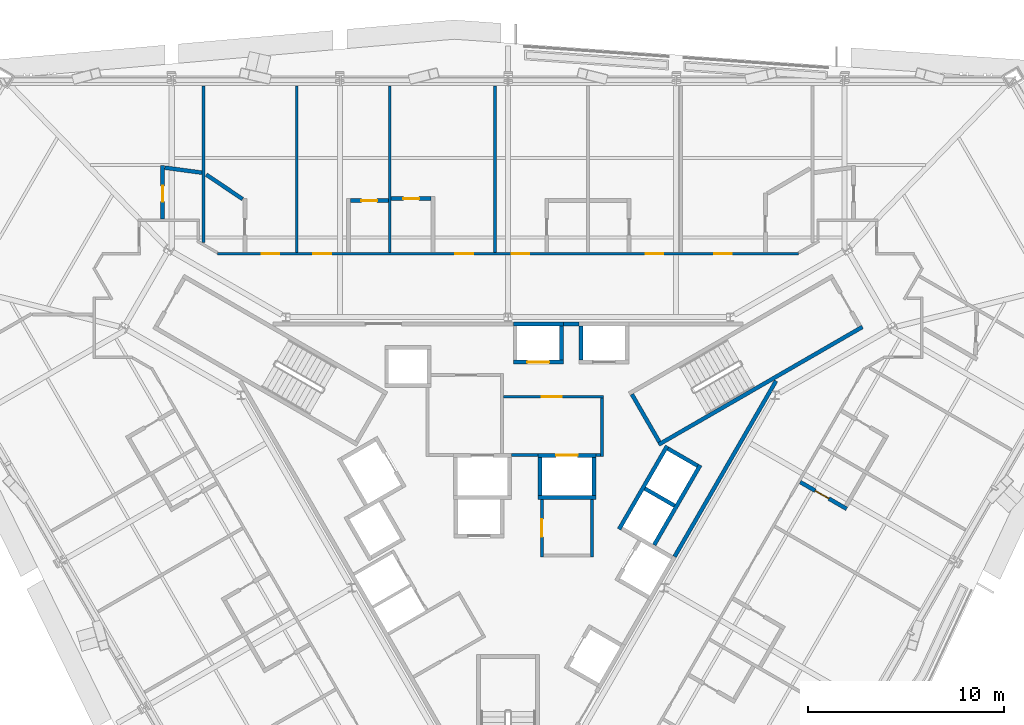
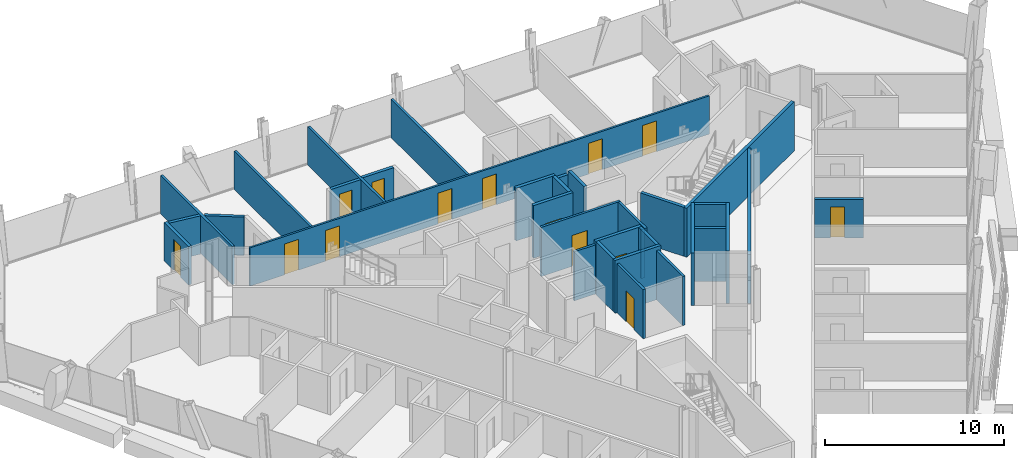
# One storey, part 11 of 15: 33 walls, 14 doors, 14 openings.
"""IFC4 building model written with IfcOpenShell, lengths in metres."""

from ifc_helpers import new_model, si_unit, direction, frame, frame_2d, origin, place, context, subcontext, project, spatial, rectangle, extrude, material, layer, layer_set, type_object, element, fill, save


model = new_model("IFC4")

# Units and contexts
model_context = context("Model", 3, precision=1e-05, world=origin(), true_north=direction((0.0, 1.0)))
body_context = subcontext(model_context, "Body", "Model", "MODEL_VIEW")
ifc_project = project(units=[si_unit("LENGTHUNIT", "METRE"), si_unit("AREAUNIT", "SQUARE_METRE"), si_unit("VOLUMEUNIT", "CUBIC_METRE"), si_unit("PLANEANGLEUNIT", "RADIAN"), si_unit("MASSUNIT", "GRAM", prefix="KILO")], contexts=[model_context])

# Site, building, storey
site_placement = place(None, origin())
site = spatial("IfcSite", under=ifc_project, at=site_placement, CompositionType="ELEMENT")
building_placement = place(site_placement, origin())
building = spatial("IfcBuilding", under=site, at=building_placement, Name="Verrane Prism Tower", CompositionType="ELEMENT")
storey_placement = place(building_placement, frame((0.0, 0.0, 72.800048828125)))
storey = spatial("IfcBuildingStorey", under=building, at=storey_placement, Name="L16", CompositionType="ELEMENT", Elevation=72.800048828125)

# Walls
ifc_material_1 = material(Name="Gypsum board partition", Category="other")
ifc_layer_1 = layer(ifc_material_1, 0.199951171875)
ifc_layer_set_1 = layer_set([ifc_layer_1], Name="CW-200 core boundary wall 2 h")
wall_type_1 = type_object("IfcWallType", Name="CW-200 core boundary wall 2 h", PredefinedType="PARTITIONING", material=ifc_layer_set_1)
wall_1_placement = place(storey_placement, frame((2.81689453125, 8.860107421875, 0.0), z_axis=(0.0, 0.0, 1.0), x_axis=(1.0, 0.0, 0.0)))
element("IfcWall", 1, at=wall_1_placement, inside=storey, type_object=wall_type_1, Name="Core boundary wall CW3-004", PredefinedType="PARTITIONING", context=body_context, shape_type="SweptSolid", body=[
    extrude(rectangle(XDim=0.80615234375, YDim=0.199951171875, at=frame_2d((0.403076171875, 0.0))), origin(), (0.0, 0.0, 1.0), 3.349853515625),
])
wall_2_placement = place(storey_placement, frame((8.491943359375, -3.011962890625, 0.0), z_axis=(0.0, 0.0, 1.0), x_axis=(0.499972957231, 0.866041016371, 0.0)))
element("IfcWall", 2, at=wall_2_placement, inside=storey, type_object=wall_type_1, Name="Core boundary wall CW3-007", PredefinedType="PARTITIONING", context=body_context, shape_type="SweptSolid", body=[
    extrude(rectangle(XDim=10.3486328125, YDim=0.199951171875, at=frame_2d((5.17431640625, 0.0))), origin(), (0.0, 0.0, 1.0), 3.349853515625),
])
ifc_material_2 = material(Name="Concrete C40/50", Category="concrete")
ifc_layer_2 = layer(ifc_material_2, 0.199951171875)
ifc_layer_set_2 = layer_set([ifc_layer_2], Name="CW-200 stair core wall concrete C40/50 3 h")
wall_type_2 = type_object("IfcWallType", Name="CW-200 stair core wall concrete C40/50 3 h", PredefinedType="PARTITIONING", material=ifc_layer_set_2)
wall_3_placement = place(storey_placement, frame((7.67822265625, 2.700927734375, 0.0), z_axis=(0.0, 0.0, 1.0), x_axis=(0.866026010844, 0.49999894854, 0.0)))
element("IfcWall", 3, at=wall_3_placement, inside=storey, type_object=wall_type_2, Name="Stair 1 enclosure wall", PredefinedType="PARTITIONING", context=body_context, shape_type="SweptSolid", body=[
    extrude(rectangle(XDim=12.0, YDim=0.199951171875, at=frame_2d((6.0, 0.0))), origin(), (0.0, 0.0, 1.0), 3.349853515625),
])
wall_4_placement = place(storey_placement, frame((7.71484375, 2.837646484375, 0.0), z_axis=(0.0, 0.0, 1.0), x_axis=(-0.500049511043, 0.865996816683, 0.0)))
element("IfcWall", 4, at=wall_4_placement, inside=storey, type_object=wall_type_2, Name="Stair 1 enclosure wall", PredefinedType="PARTITIONING", context=body_context, shape_type="SweptSolid", body=[
    extrude(rectangle(XDim=2.800048828125, YDim=0.199951171875, at=frame_2d((1.39990234375, 0.0))), origin(), (0.0, 0.0, 1.0), 3.349853515625),
])
ifc_material_3 = material(Name="Gypsum board shaft wall assembly", Category="other")
ifc_layer_3 = layer(ifc_material_3, 0.199951171875)
ifc_layer_set_3 = layer_set([ifc_layer_3], Name="HW-200 lift shaft wall 2 h")
wall_type_3 = type_object("IfcWallType", Name="HW-200 lift shaft wall 2 h", PredefinedType="PARTITIONING", material=ifc_layer_set_3)
wall_5_placement = place(storey_placement, frame((1.52490234375, 0.0, 0.0), z_axis=(0.0, 0.0, 1.0), x_axis=(1.0, 0.0, 0.0)))
element("IfcWall", 5, at=wall_5_placement, inside=storey, type_object=wall_type_3, Name="Lift shaft wall", PredefinedType="PARTITIONING", context=body_context, shape_type="SweptSolid", body=[
    extrude(rectangle(XDim=2.9501953125, YDim=0.199951171875, at=frame_2d((1.47509765625, 0.0))), origin(), (0.0, 0.0, 1.0), 3.599853515625),
])

# Wall, opening, door
wall_6_placement = place(storey_placement, frame((1.52490234375, 2.14990234375, 0.0), z_axis=(0.0, 0.0, 1.0), x_axis=(1.0, 0.0, 0.0)))
wall_6 = element("IfcWall", 6, at=wall_6_placement, inside=storey, type_object=wall_type_3, Name="Lift shaft wall", PredefinedType="PARTITIONING", context=body_context, shape_type="SweptSolid", body=[
    extrude(rectangle(XDim=2.9501953125, YDim=0.199951171875, at=frame_2d((1.47509765625, 0.0))), origin(), (0.0, 0.0, 1.0), 3.599853515625),
])
opening_1_placement = place(wall_6_placement, frame((0.925048828125, 0.0, 0.0)))
opening_1 = element("IfcOpeningElement", 7, at=opening_1_placement, cuts=wall_6, Name="Opening D14509", PredefinedType="OPENING", context=body_context, shape_type="SweptSolid", body=[
    extrude(rectangle(XDim=1.10009765625, YDim=2.10009765625, at=frame_2d((0.550048828125, 1.050048828125))), frame((0.0, 0.10986328125, 0.0), z_axis=(0.0, -1.0, 0.0), x_axis=(1.0, 0.0, 0.0)), (0.0, 0.0, 1.0), 0.219970703125),
])
ifc_material_4 = material(Name="Stainless steel sliding landing door", Category="steel")
door_type_1 = type_object("IfcDoorType", Name="LD-1100x2100 lift landing door FD90 sliding", OperationType="NOTDEFINED", PredefinedType="DOOR", material=ifc_material_4)
door_1_placement = place(opening_1_placement, origin())
door_1 = element("IfcDoor", 8, at=door_1_placement, inside=storey, type_object=door_type_1, Name="Fire service lift 2 landing door", OperationType="SLIDING_TO_RIGHT", OverallHeight=2.10009765625, OverallWidth=1.10009765625, PredefinedType="DOOR", context=body_context, shape_type="SweptSolid", body=[
    extrude(rectangle(XDim=1.10009765625, YDim=2.10009765625, at=frame_2d((0.550048828125, 1.050048828125))), frame((0.0, 0.02490234375, 0.0), z_axis=(0.0, -1.0, 0.0), x_axis=(1.0, 0.0, 0.0)), (0.0, 0.0, 1.0), 0.050048828125),
])
fill(opening_1, door_1)

wall_7_placement = place(storey_placement, frame((0.264892578125, 6.909912109375, 0.0), z_axis=(0.0, 0.0, 1.0), x_axis=(1.0, 0.0, 0.0)))
wall_7 = element("IfcWall", 9, at=wall_7_placement, inside=storey, type_object=wall_type_3, Name="Lift shaft wall", PredefinedType="PARTITIONING", context=body_context, shape_type="SweptSolid", body=[
    extrude(rectangle(XDim=2.550048828125, YDim=0.199951171875, at=frame_2d((1.27490234375, 0.0))), origin(), (0.0, 0.0, 1.0), 3.599853515625),
])
opening_2_placement = place(wall_7_placement, frame((0.72509765625, 0.0, 0.0)))
opening_2 = element("IfcOpeningElement", 10, at=opening_2_placement, cuts=wall_7, Name="Opening D14503", PredefinedType="OPENING", context=body_context, shape_type="SweptSolid", body=[
    extrude(rectangle(XDim=1.10009765625, YDim=2.10009765625, at=frame_2d((0.550048828125, 1.050048828125))), frame((0.0, 0.10986328125, 0.0), z_axis=(0.0, -1.0, 0.0), x_axis=(1.0, 0.0, 0.0)), (0.0, 0.0, 1.0), 0.219970703125),
])
door_2_placement = place(opening_2_placement, origin())
door_2 = element("IfcDoor", 11, at=door_2_placement, inside=storey, type_object=door_type_1, Name="Bank A lift 1 landing door", OperationType="SLIDING_TO_LEFT", OverallHeight=2.10009765625, OverallWidth=1.10009765625, PredefinedType="DOOR", context=body_context, shape_type="SweptSolid", body=[
    extrude(rectangle(XDim=1.10009765625, YDim=2.10009765625, at=frame_2d((0.550048828125, 1.050048828125))), frame((0.0, 0.02490234375, 0.0), z_axis=(0.0, -1.0, 0.0), x_axis=(1.0, 0.0, 0.0)), (0.0, 0.0, 1.0), 0.050048828125),
])
fill(opening_2, door_2)

# Walls
wall_8_placement = place(storey_placement, frame((0.264892578125, 8.860107421875, 0.0), z_axis=(0.0, 0.0, 1.0), x_axis=(1.0, 0.0, 0.0)))
element("IfcWall", 12, at=wall_8_placement, inside=storey, type_object=wall_type_3, Name="Lift shaft wall", PredefinedType="PARTITIONING", context=body_context, shape_type="SweptSolid", body=[
    extrude(rectangle(XDim=2.550048828125, YDim=0.199951171875, at=frame_2d((1.27490234375, 0.0))), origin(), (0.0, 0.0, 1.0), 3.599853515625),
])
wall_9_placement = place(storey_placement, frame((7.451171875, -2.4140625, 0.0), z_axis=(0.0, 0.0, 1.0), x_axis=(0.500016218704, 0.866016039709, 0.0)))
element("IfcWall", 13, at=wall_9_placement, inside=storey, type_object=wall_type_3, Name="Lift shaft wall", PredefinedType="PARTITIONING", context=body_context, shape_type="SweptSolid", body=[
    extrude(rectangle(XDim=4.699951171875, YDim=0.199951171875, at=frame_2d((2.35009765625, 0.0))), origin(), (0.0, 0.0, 1.0), 3.599853515625),
])
wall_10_placement = place(storey_placement, frame((5.66259765625, -1.6123046875, 0.0), z_axis=(0.0, 0.0, 1.0), x_axis=(0.49998122708, 0.866036242063, 0.0)))
element("IfcWall", 14, at=wall_10_placement, inside=storey, type_object=wall_type_3, Name="Lift shaft wall", PredefinedType="PARTITIONING", context=body_context, shape_type="SweptSolid", body=[
    extrude(rectangle(XDim=4.900146484375, YDim=0.199951171875, at=frame_2d((2.4501953125, 0.0))), origin(), (0.0, 0.0, 1.0), 3.599853515625),
])
wall_11_placement = place(storey_placement, frame((4.375, 0.10009765625, 0.0), z_axis=(0.0, 0.0, 1.0), x_axis=(0.0, 1.0, 0.0)))
element("IfcWall", 15, at=wall_11_placement, inside=storey, type_object=wall_type_3, Name="Lift shaft wall", PredefinedType="PARTITIONING", context=body_context, shape_type="SweptSolid", body=[
    extrude(rectangle(XDim=1.949951171875, YDim=0.199951171875, at=frame_2d((0.97509765625, 0.0))), origin(), (0.0, 0.0, 1.0), 3.599853515625),
])
for number, where, z_axis, x_axis, name in (
    (16, (3.72509765625, 7.010009765625, 0.0), (0.0, 0.0, 1.0), (0.0, 1.0, 0.0), "Lift shaft wall"),
    (17, (2.715087890625, 7.010009765625, 0.0), (0.0, 0.0, 1.0), (0.0, 1.0, 0.0), "Lift shaft wall"),
):
    element("IfcWall", number, at=place(storey_placement, frame(where, z_axis=z_axis, x_axis=x_axis)), inside=storey, type_object=wall_type_3, Name=name, PredefinedType="PARTITIONING", context=body_context, shape_type="SweptSolid", body=[
        extrude(rectangle(XDim=1.75, YDim=0.199951171875, at=frame_2d((0.875, 0.0))), origin(), (0.0, 0.0, 1.0), 3.599853515625),
    ])
wall_12_placement = place(storey_placement, frame((1.625, 0.10009765625, 0.0), z_axis=(0.0, 0.0, 1.0), x_axis=(0.0, 1.0, 0.0)))
element("IfcWall", 18, at=wall_12_placement, inside=storey, type_object=wall_type_3, Name="Lift shaft wall", PredefinedType="PARTITIONING", context=body_context, shape_type="SweptSolid", body=[
    extrude(rectangle(XDim=1.949951171875, YDim=0.199951171875, at=frame_2d((0.97509765625, 0.0))), origin(), (0.0, 0.0, 1.0), 3.599853515625),
])
wall_13_placement = place(storey_placement, frame((9.66455078125, 1.61962890625, 0.0), z_axis=(0.0, 0.0, 1.0), x_axis=(-0.866002029911, 0.500040482552, 0.0)))
element("IfcWall", 19, at=wall_13_placement, inside=storey, type_object=wall_type_3, Name="Lift shaft wall", PredefinedType="PARTITIONING", context=body_context, shape_type="SweptSolid", body=[
    extrude(rectangle(XDim=1.749755859375, YDim=0.199951171875, at=frame_2d((0.875, 0.0))), origin(), (0.0, 0.0, 1.0), 3.599853515625),
])
wall_14_placement = place(storey_placement, frame((8.48974609375, -0.41552734375, 0.0), z_axis=(0.0, 0.0, 1.0), x_axis=(-0.866036909293, 0.499980071345, 0.0)))
element("IfcWall", 20, at=wall_14_placement, inside=storey, type_object=wall_type_3, Name="Lift shaft wall", PredefinedType="PARTITIONING", context=body_context, shape_type="SweptSolid", body=[
    extrude(rectangle(XDim=1.75, YDim=0.199951171875, at=frame_2d((0.875, 0.0))), origin(), (0.0, 0.0, 1.0), 3.599853515625),
])

# Wall, opening, door
ifc_material_5 = material(Name="Gypsum board partition", Category="other")
ifc_layer_4 = layer(ifc_material_5, 0.14990234375)
ifc_layer_set_4 = layer_set([ifc_layer_4], Name="LF-150 firefighting lobby wall 1 h")
wall_type_4 = type_object("IfcWallType", Name="LF-150 firefighting lobby wall 1 h", PredefinedType="PARTITIONING", material=ifc_layer_set_4)
wall_15_placement = place(storey_placement, frame((-0.2451171875, 5.139892578125, 0.0), z_axis=(0.0, 0.0, 1.0), x_axis=(1.0, 0.0, 0.0)))
wall_15 = element("IfcWall", 21, at=wall_15_placement, inside=storey, type_object=wall_type_4, Name="Firefighting lobby wall LF1-005", PredefinedType="PARTITIONING", context=body_context, shape_type="SweptSolid", body=[
    extrude(rectangle(XDim=5.110107421875, YDim=0.14990234375, at=frame_2d((2.55517578125, 0.0))), origin(), (0.0, 0.0, 1.0), 3.349853515625),
])
opening_3_placement = place(wall_15_placement, frame((1.97509765625, 0.0, 0.0)))
opening_3 = element("IfcOpeningElement", 22, at=opening_3_placement, cuts=wall_15, Name="Opening D14516", PredefinedType="OPENING", context=body_context, shape_type="SweptSolid", body=[
    extrude(rectangle(XDim=1.0, YDim=2.10009765625, at=frame_2d((0.5, 1.050048828125))), frame((0.0, 0.0849609375, 0.0), z_axis=(0.0, -1.0, 0.0), x_axis=(1.0, 0.0, 0.0)), (0.0, 0.0, 1.0), 0.169921875),
])
ifc_material_6 = material(Name="Timber veneered door leaf", Category="wood")
door_type_2 = type_object("IfcDoorType", Name="DR-1000x2100 FD60 single leaf firefighting lobby", OperationType="NOTDEFINED", PredefinedType="DOOR", material=ifc_material_6)
door_3_placement = place(opening_3_placement, origin())
door_3 = element("IfcDoor", 23, at=door_3_placement, inside=storey, type_object=door_type_2, Name="Firefighting lobby door D14516", OperationType="SINGLE_SWING_RIGHT", OverallHeight=2.10009765625, OverallWidth=1.0, PredefinedType="DOOR", context=body_context, shape_type="SweptSolid", body=[
    extrude(rectangle(XDim=1.0, YDim=2.10009765625, at=frame_2d((0.5, 1.050048828125))), frame((0.0, 0.02490234375, 0.0), z_axis=(0.0, -1.0, 0.0), x_axis=(1.0, 0.0, 0.0)), (0.0, 0.0, 1.0), 0.050048828125),
])
fill(opening_3, door_3)

# Walls
wall_16_placement = place(storey_placement, frame((0.1669921875, 2.159912109375, 0.0), z_axis=(0.0, 0.0, 1.0), x_axis=(1.0, 0.0, 0.0)))
element("IfcWall", 24, at=wall_16_placement, inside=storey, type_object=wall_type_4, Name="Firefighting lobby wall LF1-006", PredefinedType="PARTITIONING", context=body_context, shape_type="SweptSolid", body=[
    extrude(rectangle(XDim=1.35595703125, YDim=0.14990234375, at=frame_2d((0.677978515625, 0.0))), origin(), (0.0, 0.0, 1.0), 3.349853515625),
])
wall_17_placement = place(storey_placement, frame((4.47705078125, 2.159912109375, 0.0), z_axis=(0.0, 0.0, 1.0), x_axis=(1.0, 0.0, 0.0)))
element("IfcWall", 25, at=wall_17_placement, inside=storey, type_object=wall_type_4, Name="Firefighting lobby wall LF1-007", PredefinedType="PARTITIONING", context=body_context, shape_type="SweptSolid", body=[
    extrude(rectangle(XDim=0.238037109375, YDim=0.14990234375, at=frame_2d((0.119140625, 0.0))), origin(), (0.0, 0.0, 1.0), 3.349853515625),
])
wall_18_placement = place(storey_placement, frame((4.7900390625, 2.0849609375, 0.0), z_axis=(0.0, 0.0, 1.0), x_axis=(0.0, 1.0, 0.0)))
element("IfcWall", 26, at=wall_18_placement, inside=storey, type_object=wall_type_4, Name="Firefighting lobby wall LF1-008", PredefinedType="PARTITIONING", context=body_context, shape_type="SweptSolid", body=[
    extrude(rectangle(XDim=2.97998046875, YDim=0.14990234375, at=frame_2d((1.489990234375, 0.0))), origin(), (0.0, 0.0, 1.0), 3.349853515625),
])

# Wall, openings, doors
ifc_material_7 = material(Name="Gypsum board partition", Category="other")
ifc_layer_5 = layer(ifc_material_7, 0.125)
ifc_layer_set_5 = layer_set([ifc_layer_5], Name="PW-125 corridor wall 1 h")
wall_type_5 = type_object("IfcWallType", Name="PW-125 corridor wall 1 h", PredefinedType="PARTITIONING", material=ifc_layer_set_5)
wall_19_placement = place(storey_placement, frame((-14.810546875, 12.44091796875, 0.0), z_axis=(0.0, 0.0, 1.0), x_axis=(1.0, 0.0, 0.0)))
wall_19 = element("IfcWall", 27, at=wall_19_placement, inside=storey, type_object=wall_type_5, Name="Corridor wall 027", PredefinedType="PARTITIONING", context=body_context, shape_type="SweptSolid", body=[
    extrude(rectangle(XDim=29.62109375, YDim=0.125, at=frame_2d((14.810546875, 0.0))), origin(), (0.0, 0.0, 1.0), 2.613037109375),
])
opening_4_placement = place(wall_19_placement, frame((25.326416015625, 0.0, 0.0)))
opening_4 = element("IfcOpeningElement", 28, at=opening_4_placement, cuts=wall_19, Name="Opening D14018", PredefinedType="OPENING", context=body_context, shape_type="SweptSolid", body=[
    extrude(rectangle(XDim=0.89990234375, YDim=2.10009765625, at=frame_2d((0.449951171875, 1.050048828125))), frame((0.0, 0.072509765625, 0.0), z_axis=(0.0, -1.0, 0.0), x_axis=(1.0, 0.0, 0.0)), (0.0, 0.0, 1.0), 0.14501953125),
])
opening_5_placement = place(wall_19_placement, frame((21.83349609375, 0.0, 0.0)))
opening_5 = element("IfcOpeningElement", 29, at=opening_5_placement, cuts=wall_19, Name="Opening D14020", PredefinedType="OPENING", context=body_context, shape_type="SweptSolid", body=[
    extrude(rectangle(XDim=0.89990234375, YDim=2.10009765625, at=frame_2d((0.449951171875, 1.050048828125))), frame((0.0, 0.072509765625, 0.0), z_axis=(0.0, -1.0, 0.0), x_axis=(1.0, 0.0, 0.0)), (0.0, 0.0, 1.0), 0.14501953125),
])
opening_6_placement = place(wall_19_placement, frame((14.990478515625, 0.0, 0.0)))
opening_6 = element("IfcOpeningElement", 30, at=opening_6_placement, cuts=wall_19, Name="Opening D14022", PredefinedType="OPENING", context=body_context, shape_type="SweptSolid", body=[
    extrude(rectangle(XDim=0.89990234375, YDim=2.10009765625, at=frame_2d((0.449951171875, 1.050048828125))), frame((0.0, 0.072509765625, 0.0), z_axis=(0.0, -1.0, 0.0), x_axis=(1.0, 0.0, 0.0)), (0.0, 0.0, 1.0), 0.14501953125),
])
opening_7_placement = place(wall_19_placement, frame((12.12841796875, 0.0, 0.0)))
opening_7 = element("IfcOpeningElement", 31, at=opening_7_placement, cuts=wall_19, Name="Opening D14024", PredefinedType="OPENING", context=body_context, shape_type="SweptSolid", body=[
    extrude(rectangle(XDim=0.89990234375, YDim=2.10009765625, at=frame_2d((0.449951171875, 1.050048828125))), frame((0.0, 0.072509765625, 0.0), z_axis=(0.0, -1.0, 0.0), x_axis=(1.0, 0.0, 0.0)), (0.0, 0.0, 1.0), 0.14501953125),
])
opening_8_placement = place(wall_19_placement, frame((4.885498046875, 0.0, 0.0)))
opening_8 = element("IfcOpeningElement", 32, at=opening_8_placement, cuts=wall_19, Name="Opening D14026", PredefinedType="OPENING", context=body_context, shape_type="SweptSolid", body=[
    extrude(rectangle(XDim=0.89990234375, YDim=2.10009765625, at=frame_2d((0.449951171875, 1.050048828125))), frame((0.0, 0.072509765625, 0.0), z_axis=(0.0, -1.0, 0.0), x_axis=(1.0, 0.0, 0.0)), (0.0, 0.0, 1.0), 0.14501953125),
])
opening_9_placement = place(wall_19_placement, frame((2.241455078125, 0.0, 0.0)))
opening_9 = element("IfcOpeningElement", 33, at=opening_9_placement, cuts=wall_19, Name="Opening D14028", PredefinedType="OPENING", context=body_context, shape_type="SweptSolid", body=[
    extrude(rectangle(XDim=0.89990234375, YDim=2.10009765625, at=frame_2d((0.449951171875, 1.050048828125))), frame((0.0, 0.072509765625, 0.0), z_axis=(0.0, -1.0, 0.0), x_axis=(1.0, 0.0, 0.0)), (0.0, 0.0, 1.0), 0.14501953125),
])
ifc_material_8 = material(Name="Timber veneered door leaf", Category="wood")
door_type_3 = type_object("IfcDoorType", Name="DR-900x2100 FD20 single leaf unit", OperationType="NOTDEFINED", PredefinedType="DOOR", material=ifc_material_8)
door_4_placement = place(opening_4_placement, origin())
door_4 = element("IfcDoor", 34, at=door_4_placement, inside=storey, type_object=door_type_3, Name="Junior Suite door", OperationType="SINGLE_SWING_RIGHT", OverallHeight=2.10009765625, OverallWidth=0.89990234375, PredefinedType="DOOR", context=body_context, shape_type="SweptSolid", body=[
    extrude(rectangle(XDim=0.89990234375, YDim=2.10009765625, at=frame_2d((0.449951171875, 1.050048828125))), frame((0.0, 0.02490234375, 0.0), z_axis=(0.0, -1.0, 0.0), x_axis=(1.0, 0.0, 0.0)), (0.0, 0.0, 1.0), 0.050048828125),
])
fill(opening_4, door_4)
door_5_placement = place(opening_5_placement, origin())
door_5 = element("IfcDoor", 35, at=door_5_placement, inside=storey, type_object=door_type_3, Name="Guest Room door", OperationType="SINGLE_SWING_RIGHT", OverallHeight=2.10009765625, OverallWidth=0.89990234375, PredefinedType="DOOR", context=body_context, shape_type="SweptSolid", body=[
    extrude(rectangle(XDim=0.89990234375, YDim=2.10009765625, at=frame_2d((0.449951171875, 1.050048828125))), frame((0.0, 0.02490234375, 0.0), z_axis=(0.0, -1.0, 0.0), x_axis=(1.0, 0.0, 0.0)), (0.0, 0.0, 1.0), 0.050048828125),
])
fill(opening_5, door_5)
door_6_placement = place(opening_6_placement, origin())
door_6 = element("IfcDoor", 36, at=door_6_placement, inside=storey, type_object=door_type_3, Name="Guest Room door", OperationType="SINGLE_SWING_RIGHT", OverallHeight=2.10009765625, OverallWidth=0.89990234375, PredefinedType="DOOR", context=body_context, shape_type="SweptSolid", body=[
    extrude(rectangle(XDim=0.89990234375, YDim=2.10009765625, at=frame_2d((0.449951171875, 1.050048828125))), frame((0.0, 0.02490234375, 0.0), z_axis=(0.0, -1.0, 0.0), x_axis=(1.0, 0.0, 0.0)), (0.0, 0.0, 1.0), 0.050048828125),
])
fill(opening_6, door_6)
door_7_placement = place(opening_7_placement, origin())
door_7 = element("IfcDoor", 37, at=door_7_placement, inside=storey, type_object=door_type_3, Name="Guest Room door", OperationType="SINGLE_SWING_RIGHT", OverallHeight=2.10009765625, OverallWidth=0.89990234375, PredefinedType="DOOR", context=body_context, shape_type="SweptSolid", body=[
    extrude(rectangle(XDim=0.89990234375, YDim=2.10009765625, at=frame_2d((0.449951171875, 1.050048828125))), frame((0.0, 0.02490234375, 0.0), z_axis=(0.0, -1.0, 0.0), x_axis=(1.0, 0.0, 0.0)), (0.0, 0.0, 1.0), 0.050048828125),
])
fill(opening_7, door_7)
door_8_placement = place(opening_8_placement, origin())
door_8 = element("IfcDoor", 38, at=door_8_placement, inside=storey, type_object=door_type_3, Name="Guest Room door", OperationType="SINGLE_SWING_RIGHT", OverallHeight=2.10009765625, OverallWidth=0.89990234375, PredefinedType="DOOR", context=body_context, shape_type="SweptSolid", body=[
    extrude(rectangle(XDim=0.89990234375, YDim=2.10009765625, at=frame_2d((0.449951171875, 1.050048828125))), frame((0.0, 0.02490234375, 0.0), z_axis=(0.0, -1.0, 0.0), x_axis=(1.0, 0.0, 0.0)), (0.0, 0.0, 1.0), 0.050048828125),
])
fill(opening_8, door_8)
door_9_placement = place(opening_9_placement, origin())
door_9 = element("IfcDoor", 39, at=door_9_placement, inside=storey, type_object=door_type_3, Name="Guest Room door", OperationType="SINGLE_SWING_RIGHT", OverallHeight=2.10009765625, OverallWidth=0.89990234375, PredefinedType="DOOR", context=body_context, shape_type="SweptSolid", body=[
    extrude(rectangle(XDim=0.89990234375, YDim=2.10009765625, at=frame_2d((0.449951171875, 1.050048828125))), frame((0.0, 0.02490234375, 0.0), z_axis=(0.0, -1.0, 0.0), x_axis=(1.0, 0.0, 0.0)), (0.0, 0.0, 1.0), 0.050048828125),
])
fill(opening_9, door_9)

# Walls
ifc_material_9 = material(Name="Gypsum board partition", Category="other")
ifc_layer_6 = layer(ifc_material_9, 0.14990234375)
ifc_layer_set_6 = layer_set([ifc_layer_6], Name="PW-150 demising wall 1 h")
wall_type_6 = type_object("IfcWallType", Name="PW-150 demising wall 1 h", PredefinedType="PARTITIONING", material=ifc_layer_set_6)
wall_20_placement = place(storey_placement, frame((-15.51904296875, 13.00146484375, 0.0), z_axis=(0.0, 0.0, 1.0), x_axis=(0.0, 1.0, 0.0)))
element("IfcWall", 40, at=wall_20_placement, inside=storey, type_object=wall_type_6, Name="Demising wall 025", PredefinedType="PARTITIONING", context=body_context, shape_type="SweptSolid", body=[
    extrude(rectangle(XDim=7.99365234375, YDim=0.14990234375, at=frame_2d((3.996826171875, 0.0))), origin(), (0.0, 0.0, 1.0), 2.613037109375),
])
for number, where, z_axis, x_axis, name in (
    (41, (-10.77490234375, 12.50341796875, 0.0), (0.0, 0.0, 1.0), (0.0, 1.0, 0.0), "Demising wall 034"),
    (42, (-6.031982421875, 12.50341796875, 0.0), (0.0, 0.0, 1.0), (0.0, 1.0, 0.0), "Demising wall 042"),
    (43, (-0.669921875, 12.50341796875, 0.0), (0.0, 0.0, 1.0), (0.0, 1.0, 0.0), "Demising wall 048"),
):
    element("IfcWall", number, at=place(storey_placement, frame(where, z_axis=z_axis, x_axis=x_axis)), inside=storey, type_object=wall_type_6, Name=name, PredefinedType="PARTITIONING", context=body_context, shape_type="SweptSolid", body=[
        extrude(rectangle(XDim=8.49169921875, YDim=0.14990234375, at=frame_2d((4.245849609375, 0.0))), origin(), (0.0, 0.0, 1.0), 2.613037109375),
    ])

# Wall, opening, door
ifc_material_10 = material(Name="Gypsum board partition", Category="other")
ifc_layer_7 = layer(ifc_material_10, 0.199951171875)
ifc_layer_set_7 = layer_set([ifc_layer_7], Name="PW-200 plumbing wall")
wall_type_7 = type_object("IfcWallType", Name="PW-200 plumbing wall", PredefinedType="PARTITIONING", material=ifc_layer_set_7)
wall_21_placement = place(storey_placement, frame((-17.618896484375, 16.93701171875, 0.0), z_axis=(0.0, 0.0, 1.0), x_axis=(0.0, -1.0, 0.0)))
wall_21 = element("IfcWall", 44, at=wall_21_placement, inside=storey, type_object=wall_type_7, Name="Plumbing wall 019", PredefinedType="PARTITIONING", context=body_context, shape_type="SweptSolid", body=[
    extrude(rectangle(XDim=2.737548828125, YDim=0.199951171875, at=frame_2d((1.36865234375, 0.0))), origin(), (0.0, 0.0, 1.0), 2.613037109375),
])
opening_10_placement = place(wall_21_placement, frame((1.050048828125, 0.0, 0.0)))
opening_10 = element("IfcOpeningElement", 45, at=opening_10_placement, cuts=wall_21, Name="Opening D14031", PredefinedType="OPENING", context=body_context, shape_type="SweptSolid", body=[
    extrude(rectangle(XDim=0.800048828125, YDim=2.10009765625, at=frame_2d((0.39990234375, 1.050048828125))), frame((0.0, 0.10986328125, 0.0), z_axis=(0.0, -1.0, 0.0), x_axis=(1.0, 0.0, 0.0)), (0.0, 0.0, 1.0), 0.219970703125),
])
ifc_material_11 = material(Name="Timber veneered door leaf", Category="wood")
door_type_4 = type_object("IfcDoorType", Name="DR-800x2100 single leaf bath", OperationType="NOTDEFINED", PredefinedType="DOOR", material=ifc_material_11)
door_10_placement = place(opening_10_placement, origin())
door_10 = element("IfcDoor", 46, at=door_10_placement, inside=storey, type_object=door_type_4, Name="En-Suite door", OperationType="SINGLE_SWING_RIGHT", OverallHeight=2.10009765625, OverallWidth=0.800048828125, PredefinedType="DOOR", context=body_context, shape_type="SweptSolid", body=[
    extrude(rectangle(XDim=0.800048828125, YDim=2.10009765625, at=frame_2d((0.39990234375, 1.050048828125))), frame((0.0, 0.02490234375, 0.0), z_axis=(0.0, -1.0, 0.0), x_axis=(1.0, 0.0, 0.0)), (0.0, 0.0, 1.0), 0.050048828125),
])
fill(opening_10, door_10)

# Walls
wall_22_placement = place(storey_placement, frame((-17.505126953125, 16.821533203125, 0.0), z_axis=(0.0, 0.0, 1.0), x_axis=(0.990982367401, -0.133992341199, 0.0)))
element("IfcWall", 47, at=wall_22_placement, inside=storey, type_object=wall_type_7, Name="Plumbing wall 020", PredefinedType="PARTITIONING", context=body_context, shape_type="SweptSolid", body=[
    extrude(rectangle(XDim=1.9150390625, YDim=0.199951171875, at=frame_2d((0.95751953125, 0.0))), origin(), (0.0, 0.0, 1.0), 2.613037109375),
])
wall_23_placement = place(storey_placement, frame((-15.38818359375, 16.465087890625, 0.0), z_axis=(0.0, 0.0, 1.0), x_axis=(0.82987399284, -0.557950854474, 0.0)))
element("IfcWall", 48, at=wall_23_placement, inside=storey, type_object=wall_type_7, Name="Plumbing wall 026", PredefinedType="PARTITIONING", context=body_context, shape_type="SweptSolid", body=[
    extrude(rectangle(XDim=2.23291015625, YDim=0.199951171875, at=frame_2d((1.116455078125, 0.0))), origin(), (0.0, 0.0, 1.0), 2.613037109375),
])

# Wall, opening, door
wall_24_placement = place(storey_placement, frame((-6.10693359375, 15.14111328125, 0.0), z_axis=(0.0, 0.0, 1.0), x_axis=(-1.0, 0.0, 0.0)))
wall_24 = element("IfcWall", 49, at=wall_24_placement, inside=storey, type_object=wall_type_7, Name="Plumbing wall 039", PredefinedType="PARTITIONING", context=body_context, shape_type="SweptSolid", body=[
    extrude(rectangle(XDim=1.925048828125, YDim=0.199951171875, at=frame_2d((0.96240234375, 0.0))), origin(), (0.0, 0.0, 1.0), 2.613037109375),
])
opening_11_placement = place(wall_24_placement, frame((0.574951171875, 0.0, 0.0)))
opening_11 = element("IfcOpeningElement", 50, at=opening_11_placement, cuts=wall_24, Name="Opening D14027", PredefinedType="OPENING", context=body_context, shape_type="SweptSolid", body=[
    extrude(rectangle(XDim=0.800048828125, YDim=2.10009765625, at=frame_2d((0.39990234375, 1.050048828125))), frame((0.0, 0.10986328125, 0.0), z_axis=(0.0, -1.0, 0.0), x_axis=(1.0, 0.0, 0.0)), (0.0, 0.0, 1.0), 0.219970703125),
])
door_11_placement = place(opening_11_placement, origin())
door_11 = element("IfcDoor", 51, at=door_11_placement, inside=storey, type_object=door_type_4, Name="En-Suite door", OperationType="SINGLE_SWING_RIGHT", OverallHeight=2.10009765625, OverallWidth=0.800048828125, PredefinedType="DOOR", context=body_context, shape_type="SweptSolid", body=[
    extrude(rectangle(XDim=0.800048828125, YDim=2.10009765625, at=frame_2d((0.39990234375, 1.050048828125))), frame((0.0, 0.02490234375, 0.0), z_axis=(0.0, -1.0, 0.0), x_axis=(1.0, 0.0, 0.0)), (0.0, 0.0, 1.0), 0.050048828125),
])
fill(opening_11, door_11)

wall_25_placement = place(storey_placement, frame((-3.931884765625, 15.240966796875, 0.0), z_axis=(0.0, 0.0, 1.0), x_axis=(-1.0, 0.0, 0.0)))
wall_25 = element("IfcWall", 52, at=wall_25_placement, inside=storey, type_object=wall_type_7, Name="Plumbing wall 043", PredefinedType="PARTITIONING", context=body_context, shape_type="SweptSolid", body=[
    extrude(rectangle(XDim=2.025146484375, YDim=0.199951171875, at=frame_2d((1.0126953125, 0.0))), origin(), (0.0, 0.0, 1.0), 2.613037109375),
])
opening_12_placement = place(wall_25_placement, frame((0.60009765625, 0.0, 0.0)))
opening_12 = element("IfcOpeningElement", 53, at=opening_12_placement, cuts=wall_25, Name="Opening D14025", PredefinedType="OPENING", context=body_context, shape_type="SweptSolid", body=[
    extrude(rectangle(XDim=0.800048828125, YDim=2.10009765625, at=frame_2d((0.39990234375, 1.050048828125))), frame((0.0, 0.10986328125, 0.0), z_axis=(0.0, -1.0, 0.0), x_axis=(1.0, 0.0, 0.0)), (0.0, 0.0, 1.0), 0.219970703125),
])
door_12_placement = place(opening_12_placement, origin())
door_12 = element("IfcDoor", 54, at=door_12_placement, inside=storey, type_object=door_type_4, Name="En-Suite door", OperationType="SINGLE_SWING_RIGHT", OverallHeight=2.10009765625, OverallWidth=0.800048828125, PredefinedType="DOOR", context=body_context, shape_type="SweptSolid", body=[
    extrude(rectangle(XDim=0.800048828125, YDim=2.10009765625, at=frame_2d((0.39990234375, 1.050048828125))), frame((0.0, 0.02490234375, 0.0), z_axis=(0.0, -1.0, 0.0), x_axis=(1.0, 0.0, 0.0)), (0.0, 0.0, 1.0), 0.050048828125),
])
fill(opening_12, door_12)

wall_26_placement = place(storey_placement, frame((14.8984375, 0.789306640625, 0.0), z_axis=(0.0, 0.0, 1.0), x_axis=(0.866102295869, -0.499866795347, 0.0)))
wall_26 = element("IfcWall", 55, at=wall_26_placement, inside=storey, type_object=wall_type_7, Name="Plumbing wall 076", PredefinedType="PARTITIONING", context=body_context, shape_type="SweptSolid", body=[
    extrude(rectangle(XDim=2.733154296875, YDim=0.199951171875, at=frame_2d((1.36669921875, 0.0))), origin(), (0.0, 0.0, 1.0), 2.613037109375),
])
opening_13_placement = place(wall_26_placement, frame((0.882568359375, 0.0, 0.0)))
opening_13 = element("IfcOpeningElement", 56, at=opening_13_placement, cuts=wall_26, Name="Opening D14011", PredefinedType="OPENING", context=body_context, shape_type="SweptSolid", body=[
    extrude(rectangle(XDim=0.800048828125, YDim=2.10009765625, at=frame_2d((0.39990234375, 1.050048828125))), frame((0.0, 0.10986328125, 0.0), z_axis=(0.0, -1.0, 0.0), x_axis=(1.0, 0.0, 0.0)), (0.0, 0.0, 1.0), 0.219970703125),
])
door_13_placement = place(opening_13_placement, origin())
door_13 = element("IfcDoor", 57, at=door_13_placement, inside=storey, type_object=door_type_4, Name="En-Suite door", OperationType="SINGLE_SWING_LEFT", OverallHeight=2.10009765625, OverallWidth=0.800048828125, PredefinedType="DOOR", context=body_context, shape_type="SweptSolid", body=[
    extrude(rectangle(XDim=0.800048828125, YDim=2.10009765625, at=frame_2d((0.39990234375, 1.050048828125))), frame((0.0, 0.02490234375, 0.0), z_axis=(0.0, -1.0, 0.0), x_axis=(1.0, 0.0, 0.0)), (0.0, 0.0, 1.0), 0.050048828125),
])
fill(opening_13, door_13)

ifc_material_12 = material(Name="Gypsum board partition", Category="other")
ifc_layer_8 = layer(ifc_material_12, 0.14990234375)
ifc_layer_set_8 = layer_set([ifc_layer_8], Name="RS-150 riser enclosure wall 1 h")
wall_type_8 = type_object("IfcWallType", Name="RS-150 riser enclosure wall 1 h", PredefinedType="PARTITIONING", material=ifc_layer_set_8)
wall_27_placement = place(storey_placement, frame((1.72509765625, -0.10205078125, 0.0), z_axis=(0.0, 0.0, 1.0), x_axis=(0.0, -1.0, 0.0)))
wall_27 = element("IfcWall", 58, at=wall_27_placement, inside=storey, type_object=wall_type_8, Name="Riser wall RS3-007", PredefinedType="PARTITIONING", context=body_context, shape_type="SweptSolid", body=[
    extrude(rectangle(XDim=2.9228515625, YDim=0.14990234375, at=frame_2d((1.46142578125, 0.0))), origin(), (0.0, 0.0, 1.0), 3.349853515625),
])
opening_14_placement = place(wall_27_placement, frame((0.998046875, 0.0, 0.0)))
opening_14 = element("IfcOpeningElement", 59, at=opening_14_placement, cuts=wall_27, Name="Opening D14518", PredefinedType="OPENING", context=body_context, shape_type="SweptSolid", body=[
    extrude(rectangle(XDim=0.89990234375, YDim=2.10009765625, at=frame_2d((0.449951171875, 1.050048828125))), frame((0.0, 0.0849609375, 0.0), z_axis=(0.0, -1.0, 0.0), x_axis=(1.0, 0.0, 0.0)), (0.0, 0.0, 1.0), 0.169921875),
])
ifc_material_13 = material(Name="Timber veneered door leaf", Category="wood")
door_type_5 = type_object("IfcDoorType", Name="DR-900x2100 FD20 single leaf store", OperationType="NOTDEFINED", PredefinedType="DOOR", material=ifc_material_13)
door_14_placement = place(opening_14_placement, origin())
door_14 = element("IfcDoor", 60, at=door_14_placement, inside=storey, type_object=door_type_5, Name="Room door D14518", OperationType="SINGLE_SWING_LEFT", OverallHeight=2.10009765625, OverallWidth=0.89990234375, PredefinedType="DOOR", context=body_context, shape_type="SweptSolid", body=[
    extrude(rectangle(XDim=0.89990234375, YDim=2.10009765625, at=frame_2d((0.449951171875, 1.050048828125))), frame((0.0, 0.02490234375, 0.0), z_axis=(0.0, -1.0, 0.0), x_axis=(1.0, 0.0, 0.0)), (0.0, 0.0, 1.0), 0.050048828125),
])
fill(opening_14, door_14)

# Wall
wall_28_placement = place(storey_placement, frame((4.27490234375, -3.02490234375, 0.0), z_axis=(0.0, 0.0, 1.0), x_axis=(0.0, 1.0, 0.0)))
element("IfcWall", 61, at=wall_28_placement, inside=storey, type_object=wall_type_8, Name="Riser wall RS3-009", PredefinedType="PARTITIONING", context=body_context, shape_type="SweptSolid", body=[
    extrude(rectangle(XDim=2.9228515625, YDim=0.14990234375, at=frame_2d((1.46142578125, 0.0))), origin(), (0.0, 0.0, 1.0), 3.349853515625),
])

save(model, "model.ifc")
